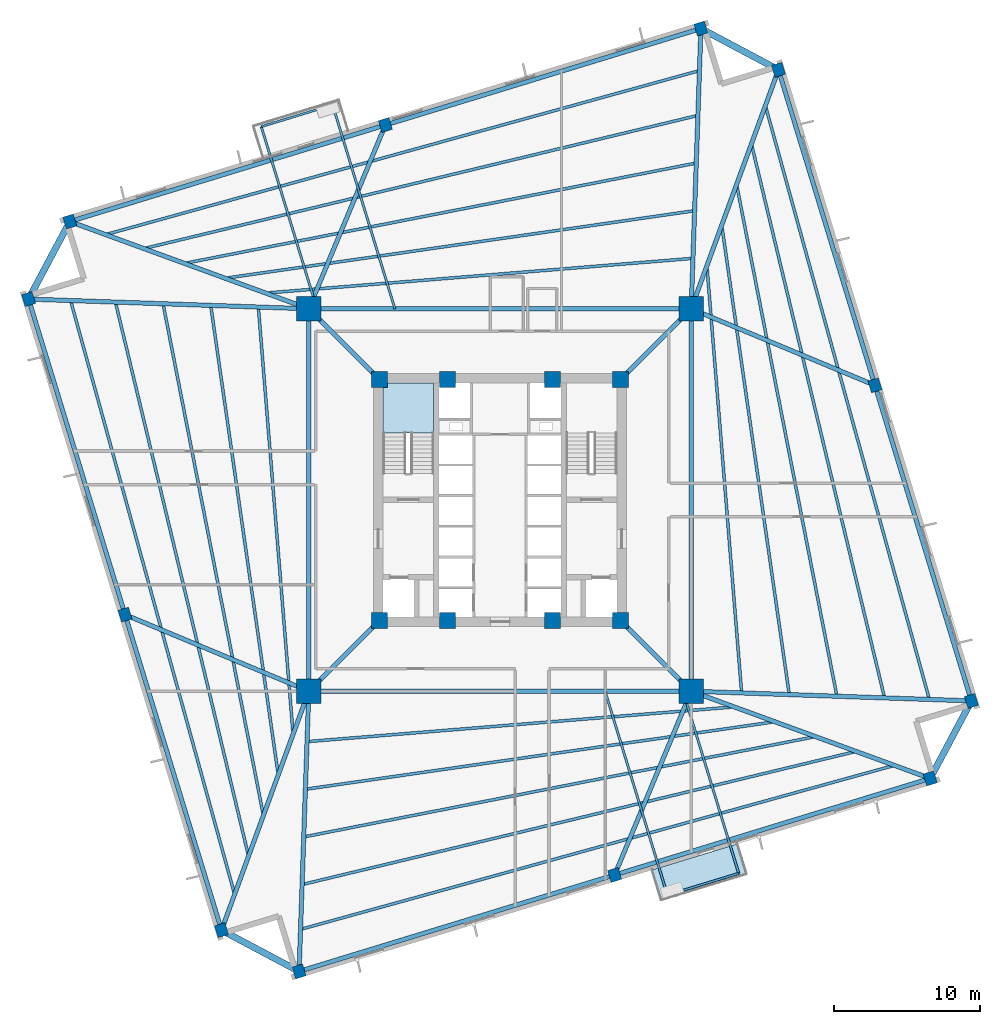
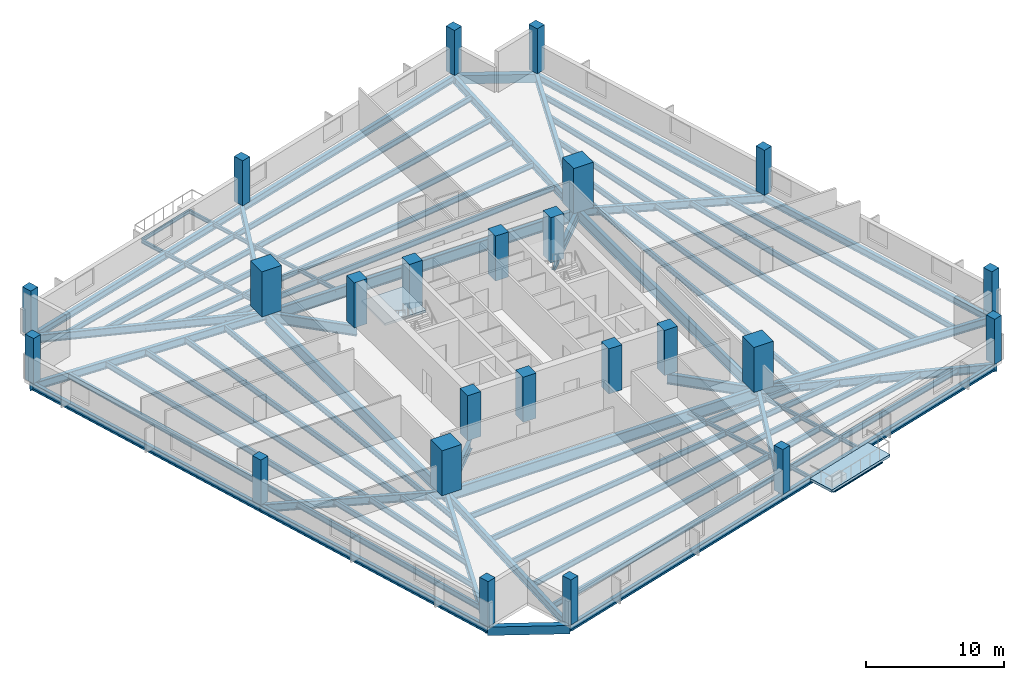
# One storey, part 1 of 8: 58 beams, 24 columns, 2 slabs, 1 element without a shape of its own.
"""IFC4 building model written with IfcOpenShell, lengths in metres."""

from ifc_helpers import new_model, si_unit, direction, frame, origin, origin_2d, place, context, subcontext, project, spatial, polyline, rectangle, i_section, outline, extrude, source, transform, mapped, material, layer, layer_set, material_profile, profile_set, type_object, element, aggregate, save


model = new_model("IFC4")

# Units and contexts
model_context = context("Model", 3, precision=1e-05, world=origin(), true_north=direction((0.0, 1.0)))
body_context = subcontext(model_context, "Body", "Model", "MODEL_VIEW")
ifc_project = project(units=[si_unit("LENGTHUNIT", "METRE"), si_unit("AREAUNIT", "SQUARE_METRE"), si_unit("VOLUMEUNIT", "CUBIC_METRE"), si_unit("PLANEANGLEUNIT", "RADIAN"), si_unit("MASSUNIT", "GRAM", prefix="KILO"), si_unit("THERMODYNAMICTEMPERATUREUNIT", "KELVIN")], contexts=[model_context])

# Site, building, storey
site_placement = place(None, origin())
site = spatial("IfcSite", under=ifc_project, at=site_placement, CompositionType="ELEMENT")
building_placement = place(site_placement, origin())
building = spatial("IfcBuilding", under=site, at=building_placement, Name="Kosmvard Interchange Tower", CompositionType="ELEMENT")
storey_placement = place(building_placement, frame((0.0, 0.0, 135.199951171875)))
storey = spatial("IfcBuildingStorey", under=building, at=storey_placement, Name="L32", CompositionType="ELEMENT", Elevation=135.199951171875)

# Columns
ifc_material_1 = material(Name="Concrete C80/95", Category="concrete")
ifc_material_profile_1 = material_profile(ifc_material_1, rectangle(XDim=1.10009765625, YDim=1.10009765625, at=origin_2d()), Name="CP 1100x1100")
ifc_profile_set_1 = profile_set([ifc_material_profile_1], Name="Concrete C80/95")
column_type_1 = type_object("IfcColumnType", Name="Core Boundary Pilaster 1100x1100 C80/95", PredefinedType="PILASTER", material=ifc_profile_set_1)
shared_shape_1 = source(origin(), body_context, "Body", "SweptSolid", [
    extrude(rectangle(XDim=1.10009765625, YDim=1.10009765625, at=origin_2d()), origin(), (0.0, 0.0, 1.0), 4.0),
])
for number, where, z_axis, x_axis, name in (
    (1, (-8.25, -8.25, 0.0), (0.0, 0.0, 1.0), (1.0, 0.0, 0.0), "L32 Core Pilaster CP1"),
    (2, (8.25, -8.25, 0.0), (0.0, 0.0, 1.0), (1.0, 0.0, 0.0), "L32 Core Pilaster CP2"),
    (3, (8.25, 8.25, 0.0), (0.0, 0.0, 1.0), (1.0, 0.0, 0.0), "L32 Core Pilaster CP3"),
    (4, (-8.25, 8.25, 0.0), (0.0, 0.0, 1.0), (1.0, 0.0, 0.0), "L32 Core Pilaster CP4"),
    (5, (-3.60009765625, -8.25, 0.0), (0.0, 0.0, 1.0), (1.0, 0.0, 0.0), "L32 Core Pilaster CP5"),
    (6, (3.60009765625, -8.25, 0.0), (0.0, 0.0, 1.0), (1.0, 0.0, 0.0), "L32 Core Pilaster CP6"),
    (7, (-3.60009765625, 8.25, 0.0), (0.0, 0.0, 1.0), (1.0, 0.0, 0.0), "L32 Core Pilaster CP7"),
    (8, (3.60009765625, 8.25, 0.0), (0.0, 0.0, 1.0), (1.0, 0.0, 0.0), "L32 Core Pilaster CP8"),
):
    element("IfcColumn", number, at=place(storey_placement, frame(where, z_axis=z_axis, x_axis=x_axis)), inside=storey, type_object=column_type_1, Name=name, PredefinedType="PILASTER", context=body_context, shape_type="MappedRepresentation", body=[
        mapped(shared_shape_1, transform((0.0, 0.0, 0.0), scale=1.0)),
    ])
ifc_material_2 = material(Name="Concrete C70/85", Category="concrete")
ifc_material_profile_2 = material_profile(ifc_material_2, rectangle(XDim=1.64990234375, YDim=1.64990234375, at=origin_2d()), Name="MC 1650x1650")
ifc_profile_set_2 = profile_set([ifc_material_profile_2], Name="Concrete C70/85")
column_type_2 = type_object("IfcColumnType", Name="Composite Mega-Column 1650x1650 C70/85", PredefinedType="COLUMN", material=ifc_profile_set_2)
shared_shape_2 = source(origin(), body_context, "Body", "SweptSolid", [
    extrude(rectangle(XDim=1.64990234375, YDim=1.64990234375, at=origin_2d()), origin(), (0.0, 0.0, 1.0), 4.0),
])
for number, where, z_axis, x_axis, name in (
    (9, (-13.0810546875, -13.0810546875, 0.0), (0.0, 0.0, 1.0), (1.0, 0.0, 0.0), "L32 Corner Mega-Column MC1"),
    (10, (13.0810546875, -13.0810546875, 0.0), (0.0, 0.0, 1.0), (1.0, 0.0, 0.0), "L32 Corner Mega-Column MC2"),
    (11, (13.0810546875, 13.0810546875, 0.0), (0.0, 0.0, 1.0), (1.0, 0.0, 0.0), "L32 Corner Mega-Column MC3"),
    (12, (-13.0810546875, 13.0810546875, 0.0), (0.0, 0.0, 1.0), (1.0, 0.0, 0.0), "L32 Corner Mega-Column MC4"),
):
    element("IfcColumn", number, at=place(storey_placement, frame(where, z_axis=z_axis, x_axis=x_axis)), inside=storey, type_object=column_type_2, Name=name, PredefinedType="COLUMN", context=body_context, shape_type="MappedRepresentation", body=[
        mapped(shared_shape_2, transform((0.0, 0.0, 0.0), scale=1.0)),
    ])
ifc_material_3 = material(Name="Concrete C60/75", Category="concrete")
ifc_material_profile_3 = material_profile(ifc_material_3, rectangle(XDim=0.75, YDim=0.85009765625, at=origin_2d()), Name="TC 850x750")
ifc_profile_set_3 = profile_set([ifc_material_profile_3], Name="Concrete C60/75")
column_type_3 = type_object("IfcColumnType", Name="Zone 2 Perimeter Pier Column 850x750 C60/75", PredefinedType="COLUMN", material=ifc_profile_set_3)
shared_shape_3 = source(origin(), body_context, "Body", "SweptSolid", [
    extrude(rectangle(XDim=0.75, YDim=0.85009765625, at=origin_2d()), origin(), (0.0, 0.0, 1.0), 4.0),
])
for number, where, z_axis, x_axis, name in (
    (13, (-13.74560546875, -32.253173828125, 0.0), (0.0, 0.0, 1.0), (0.956304755963, 0.292371704723, 0.0), "L32 Perimeter Pier Column TC-S1"),
    (14, (7.8427734375, -25.65283203125, 0.0), (0.0, 0.0, 1.0), (0.956304755963, 0.292371704723, 0.0), "L32 Perimeter Pier Column TC-S2"),
    (15, (29.431396484375, -19.052490234375, 0.0), (0.0, 0.0, 1.0), (0.956304755963, 0.292371704723, 0.0), "L32 Perimeter Pier Column TC-S3"),
    (16, (32.253173828125, -13.74560546875, 0.0), (0.0, 0.0, 1.0), (0.956304755963, 0.292371704723, 0.0), "L32 Perimeter Pier Column TC-E1"),
    (17, (25.65283203125, 7.8427734375, 0.0), (0.0, 0.0, 1.0), (0.956304755963, 0.292371704723, 0.0), "L32 Perimeter Pier Column TC-E2"),
    (18, (19.052490234375, 29.431396484375, 0.0), (0.0, 0.0, 1.0), (0.956304755963, 0.292371704723, 0.0), "L32 Perimeter Pier Column TC-E3"),
    (19, (13.74560546875, 32.253173828125, 0.0), (0.0, 0.0, 1.0), (0.956304755963, 0.292371704723, 0.0), "L32 Perimeter Pier Column TC-N1"),
    (20, (-7.8427734375, 25.65283203125, 0.0), (0.0, 0.0, 1.0), (0.956304755963, 0.292371704723, 0.0), "L32 Perimeter Pier Column TC-N2"),
    (21, (-29.431396484375, 19.052490234375, 0.0), (0.0, 0.0, 1.0), (0.956304755963, 0.292371704723, 0.0), "L32 Perimeter Pier Column TC-N3"),
    (22, (-32.253173828125, 13.74560546875, 0.0), (0.0, 0.0, 1.0), (0.956304755963, 0.292371704723, 0.0), "L32 Perimeter Pier Column TC-W1"),
    (23, (-25.65283203125, -7.8427734375, 0.0), (0.0, 0.0, 1.0), (0.956304755963, 0.292371704723, 0.0), "L32 Perimeter Pier Column TC-W2"),
    (24, (-19.052490234375, -29.431396484375, 0.0), (0.0, 0.0, 1.0), (0.956304755963, 0.292371704723, 0.0), "L32 Perimeter Pier Column TC-W3"),
):
    element("IfcColumn", number, at=place(storey_placement, frame(where, z_axis=z_axis, x_axis=x_axis)), inside=storey, type_object=column_type_3, Name=name, PredefinedType="COLUMN", context=body_context, shape_type="MappedRepresentation", body=[
        mapped(shared_shape_3, transform((0.0, 0.0, 0.0), scale=1.0)),
    ])

# Beams
ifc_material_4 = material(Name="Steel S460", Category="steel")
ifc_material_profile_4 = material_profile(ifc_material_4, i_section(OverallWidth=0.30810546875, OverallDepth=0.909912109375, WebThickness=0.02099609375, FlangeThickness=0.0400390625, FilletRadius=0.027099609375, at=origin_2d()), Name="HEM 900")
ifc_profile_set_4 = profile_set([ifc_material_profile_4], Name="Steel S460")
beam_type_1 = type_object("IfcBeamType", Name="Primary Mega-Frame Girder HEM 900 S460", PredefinedType="BEAM", material=ifc_profile_set_4)
shared_shape_4 = source(origin(), body_context, "Body", "SweptSolid", [
    extrude(i_section(OverallWidth=0.30810546875, OverallDepth=0.909912109375, WebThickness=0.02099609375, FlangeThickness=0.0400390625, FilletRadius=0.027099609375, at=origin_2d()), origin(), (0.0, 0.0, 1.0), 6.83203125),
])
for number, where, z_axis, x_axis, name in (
    (25, (-8.25, -8.25, -0.71484375), (-0.707106781187, -0.707106781187, 0.0), (0.707106781187, -0.707106781187, 0.0), "L32 Radial Mega-Frame Girder 1"),
    (26, (8.25, -8.25, -0.71484375), (0.707106781187, -0.707106781187, 0.0), (0.707106781187, 0.707106781187, 0.0), "L32 Radial Mega-Frame Girder 2"),
    (27, (8.25, 8.25, -0.71484375), (0.707106781187, 0.707106781187, 0.0), (-0.707106781187, 0.707106781187, 0.0), "L32 Radial Mega-Frame Girder 3"),
    (28, (-8.25, 8.25, -0.71484375), (-0.707106781187, 0.707106781187, 0.0), (-0.707106781187, -0.707106781187, 0.0), "L32 Radial Mega-Frame Girder 4"),
):
    element("IfcBeam", number, at=place(storey_placement, frame(where, z_axis=z_axis, x_axis=x_axis)), inside=storey, type_object=beam_type_1, Name=name, PredefinedType="BEAM", context=body_context, shape_type="MappedRepresentation", body=[
        mapped(shared_shape_4, transform((0.0, 0.0, 0.0), scale=1.0)),
    ])
ifc_material_profile_5 = material_profile(ifc_material_4, i_section(OverallWidth=0.30908203125, OverallDepth=1.008056640625, WebThickness=0.02099609375, FlangeThickness=0.0400390625, FilletRadius=0.030029296875, at=origin_2d()), Name="HEM 1000")
ifc_profile_set_5 = profile_set([ifc_material_profile_5], Name="Steel S460")
beam_type_2 = type_object("IfcBeamType", Name="Mega-Column Ring Girder HEM 1000 S460", PredefinedType="BEAM", material=ifc_profile_set_5)
shared_shape_5 = source(origin(), body_context, "Body", "SweptSolid", [
    extrude(i_section(OverallWidth=0.30908203125, OverallDepth=1.008056640625, WebThickness=0.02099609375, FlangeThickness=0.0400390625, FilletRadius=0.030029296875, at=origin_2d()), origin(), (0.0, 0.0, 1.0), 26.162109375),
])
for number, where, z_axis, x_axis, name in (
    (29, (-13.0810546875, -13.0810546875, -0.763916015625), (1.0, 0.0, 0.0), (0.0, 1.0, 0.0), "L32 Mega-Column Ring Girder 1"),
    (30, (13.0810546875, -13.0810546875, -0.763916015625), (0.0, 1.0, 0.0), (-1.0, 0.0, 0.0), "L32 Mega-Column Ring Girder 2"),
    (31, (13.0810546875, 13.0810546875, -0.763916015625), (-1.0, 0.0, 0.0), (0.0, -1.0, 0.0), "L32 Mega-Column Ring Girder 3"),
    (32, (-13.0810546875, 13.0810546875, -0.763916015625), (0.0, -1.0, 0.0), (1.0, 0.0, 0.0), "L32 Mega-Column Ring Girder 4"),
):
    element("IfcBeam", number, at=place(storey_placement, frame(where, z_axis=z_axis, x_axis=x_axis)), inside=storey, type_object=beam_type_2, Name=name, PredefinedType="BEAM", context=body_context, shape_type="MappedRepresentation", body=[
        mapped(shared_shape_5, transform((0.0, 0.0, 0.0), scale=1.0)),
    ])
ifc_material_5 = material(Name="Steel S355", Category="steel")
ifc_material_profile_6 = material_profile(ifc_material_5, i_section(OverallWidth=0.14990234375, OverallDepth=0.300048828125, WebThickness=0.007080078125, FlangeThickness=0.0107421875, FilletRadius=0.014892578125, at=origin_2d()), Name="IPE 300")
ifc_profile_set_6 = profile_set([ifc_material_profile_6], Name="Steel S355")
beam_type_3 = type_object("IfcBeamType", Name="Balcony Edge Header Joist IPE 300 S355", PredefinedType="JOIST", material=ifc_profile_set_6)
shared_shape_6 = source(origin(), body_context, "Body", "SweptSolid", [
    extrude(i_section(OverallWidth=0.14990234375, OverallDepth=0.300048828125, WebThickness=0.007080078125, FlangeThickness=0.0107421875, FilletRadius=0.014892578125, at=origin_2d()), origin(), (0.0, 0.0, 1.0), 5.099853515625),
])
for number, where, z_axis, x_axis, name in (
    (33, (-11.4541015625, 27.032470703125, -0.409912109375), (-0.956295066015, -0.292403397238, 0.0), (0.292403397238, -0.956295066015, 0.0), "BM-L32-BJH1"),
    (34, (11.4541015625, -27.032470703125, -0.409912109375), (0.956295066015, 0.292403397238, 0.0), (-0.292403397238, 0.956295066015, 0.0), "BM-L32-BJH2"),
):
    element("IfcBeam", number, at=place(storey_placement, frame(where, z_axis=z_axis, x_axis=x_axis)), inside=storey, type_object=beam_type_3, Name=name, PredefinedType="JOIST", context=body_context, shape_type="MappedRepresentation", body=[
        mapped(shared_shape_6, transform((0.0, 0.0, 0.0), scale=1.0)),
    ])
ifc_material_profile_7 = material_profile(ifc_material_5, i_section(OverallWidth=0.300048828125, OverallDepth=0.60009765625, WebThickness=0.015380859375, FlangeThickness=0.030029296875, FilletRadius=0.027099609375, at=origin_2d()), Name="HEB 600")
ifc_profile_set_7 = profile_set([ifc_material_profile_7], Name="Steel S355")
beam_type_4 = type_object("IfcBeamType", Name="Perimeter Tie Girder HEB 600 S355", PredefinedType="BEAM", material=ifc_profile_set_7)
shared_shape_7 = source(origin(), body_context, "Body", "SweptSolid", [
    extrude(i_section(OverallWidth=0.300048828125, OverallDepth=0.60009765625, WebThickness=0.015380859375, FlangeThickness=0.030029296875, FilletRadius=0.027099609375, at=origin_2d()), origin(), (0.0, 0.0, 1.0), 22.57470703125),
])
for number, where, z_axis, x_axis, name in (
    (35, (-13.74560546875, -32.253173828125, -0.56005859375), (0.956303368768, 0.292376241995, 0.0), (-0.292376241995, 0.956303368768, 0.0), "BM-L32-PR01"),
    (36, (32.253173828125, -13.74560546875, -0.56005859375), (-0.292376241995, 0.956303368768, 0.0), (-0.956303368768, -0.292376241995, 0.0), "BM-L32-PR04"),
    (37, (13.74560546875, 32.253173828125, -0.56005859375), (-0.956303368768, -0.292376241995, 0.0), (0.292376241995, -0.956303368768, 0.0), "BM-L32-PR07"),
    (38, (-32.253173828125, 13.74560546875, -0.56005859375), (0.292376241995, -0.956303368768, 0.0), (0.956303368768, 0.292376241995, 0.0), "BM-L32-PR10"),
):
    element("IfcBeam", number, at=place(storey_placement, frame(where, z_axis=z_axis, x_axis=x_axis)), inside=storey, type_object=beam_type_4, Name=name, PredefinedType="BEAM", context=body_context, shape_type="MappedRepresentation", body=[
        mapped(shared_shape_7, transform((0.0, 0.0, 0.0), scale=1.0)),
    ])
ifc_material_profile_8 = material_profile(ifc_material_5, i_section(OverallWidth=0.300048828125, OverallDepth=0.699951171875, WebThickness=0.01708984375, FlangeThickness=0.031982421875, FilletRadius=0.027099609375, at=origin_2d()), Name="HEB 700")
ifc_profile_set_8 = profile_set([ifc_material_profile_8], Name="Steel S355")
beam_type_5 = type_object("IfcBeamType", Name="Primary Floor Girder HEB 700 S355", PredefinedType="BEAM", material=ifc_profile_set_8)
shared_shape_8 = source(origin(), body_context, "Body", "SweptSolid", [
    extrude(i_section(OverallWidth=0.300048828125, OverallDepth=0.699951171875, WebThickness=0.01708984375, FlangeThickness=0.031982421875, FilletRadius=0.027099609375, at=origin_2d()), origin(), (0.0, 0.0, 1.0), 19.18359375),
])
for number, where, z_axis, x_axis, name in (
    (39, (-13.0810546875, -13.0810546875, -0.60986328125), (-0.034641549738, -0.999399801397, 0.0), (0.999399801397, -0.034641549738, 0.0), "BM-L32-RD01"),
    (40, (13.0810546875, -13.0810546875, -0.60986328125), (0.999399801397, -0.034641549738, 0.0), (0.034641549738, 0.999399801397, 0.0), "BM-L32-RD04"),
    (41, (13.0810546875, 13.0810546875, -0.60986328125), (0.034641549738, 0.999399801397, 0.0), (-0.999399801397, 0.034641549738, 0.0), "BM-L32-RD07"),
    (42, (-13.0810546875, 13.0810546875, -0.60986328125), (-0.999399801397, 0.034641549738, 0.0), (-0.034641549738, -0.999399801397, 0.0), "BM-L32-RD10"),
):
    element("IfcBeam", number, at=place(storey_placement, frame(where, z_axis=z_axis, x_axis=x_axis)), inside=storey, type_object=beam_type_5, Name=name, PredefinedType="BEAM", context=body_context, shape_type="MappedRepresentation", body=[
        mapped(shared_shape_8, transform((0.0, 0.0, 0.0), scale=1.0)),
    ])
shared_shape_9 = source(origin(), body_context, "Body", "SweptSolid", [
    extrude(i_section(OverallWidth=0.300048828125, OverallDepth=0.60009765625, WebThickness=0.015380859375, FlangeThickness=0.030029296875, FilletRadius=0.027099609375, at=origin_2d()), origin(), (0.0, 0.0, 1.0), 22.574951171875),
])
for number, where, z_axis, x_axis, name in (
    (43, (7.8427734375, -25.65283203125, -0.56005859375), (0.956304293239, 0.292373218222, 0.0), (-0.292373218222, 0.956304293239, 0.0), "BM-L32-PR02"),
    (44, (25.65283203125, 7.8427734375, -0.56005859375), (-0.292373218222, 0.956304293239, 0.0), (-0.956304293239, -0.292373218222, 0.0), "BM-L32-PR05"),
    (45, (-7.8427734375, 25.65283203125, -0.56005859375), (-0.956304293239, -0.292373218222, 0.0), (0.292373218222, -0.956304293239, 0.0), "BM-L32-PR08"),
    (46, (-25.65283203125, -7.8427734375, -0.56005859375), (0.292373218222, -0.956304293239, 0.0), (0.956304293239, 0.292373218222, 0.0), "BM-L32-PR11"),
):
    element("IfcBeam", number, at=place(storey_placement, frame(where, z_axis=z_axis, x_axis=x_axis)), inside=storey, type_object=beam_type_4, Name=name, PredefinedType="BEAM", context=body_context, shape_type="MappedRepresentation", body=[
        mapped(shared_shape_9, transform((0.0, 0.0, 0.0), scale=1.0)),
    ])
shared_shape_10 = source(origin(), body_context, "Body", "SweptSolid", [
    extrude(i_section(OverallWidth=0.300048828125, OverallDepth=0.699951171875, WebThickness=0.01708984375, FlangeThickness=0.031982421875, FilletRadius=0.027099609375, at=origin_2d()), origin(), (0.0, 0.0, 1.0), 13.619384765625),
])
for number, where, z_axis, x_axis, name in (
    (47, (13.0810546875, -13.0810546875, -0.60986328125), (-0.384617930303, -0.92307586237, 0.0), (0.92307586237, -0.384617930303, 0.0), "BM-L32-RD02"),
    (48, (13.0810546875, 13.0810546875, -0.60986328125), (0.92307586237, -0.384617930303, 0.0), (0.384617930303, 0.92307586237, 0.0), "BM-L32-RD05"),
    (49, (-13.0810546875, 13.0810546875, -0.60986328125), (0.384617930303, 0.92307586237, 0.0), (-0.92307586237, 0.384617930303, 0.0), "BM-L32-RD08"),
    (50, (-13.0810546875, -13.0810546875, -0.60986328125), (-0.92307586237, 0.384617930303, 0.0), (-0.384617930303, -0.92307586237, 0.0), "BM-L32-RD11"),
):
    element("IfcBeam", number, at=place(storey_placement, frame(where, z_axis=z_axis, x_axis=x_axis)), inside=storey, type_object=beam_type_5, Name=name, PredefinedType="BEAM", context=body_context, shape_type="MappedRepresentation", body=[
        mapped(shared_shape_10, transform((0.0, 0.0, 0.0), scale=1.0)),
    ])
ifc_material_6 = material(Name="Precast concrete C45/55", Category="concrete")
ifc_material_profile_9 = material_profile(ifc_material_6, rectangle(XDim=0.449951171875, YDim=0.75, at=origin_2d()), Name="SL 450x750")
ifc_profile_set_9 = profile_set([ifc_material_profile_9], Name="Precast concrete C45/55")
beam_type_6 = type_object("IfcBeamType", Name="Precast Spandrel Lintel 450x750 C45/55", PredefinedType="LINTEL", material=ifc_profile_set_9)
shared_shape_11 = source(origin(), body_context, "Body", "SweptSolid", [
    extrude(rectangle(XDim=0.449951171875, YDim=0.75, at=origin_2d()), origin(), (0.0, 0.0, 1.0), 6.010498046875),
])
for number, where, z_axis, x_axis, name in (
    (51, (29.431396484375, -19.052490234375, -0.635009765625), (0.469478912111, 0.882943685114, 0.0), (-0.882943685114, 0.469478912111, 0.0), "BM-L32-SL1"),
    (52, (19.052490234375, 29.431396484375, -0.635009765625), (-0.882943685114, 0.469478912111, 0.0), (-0.469478912111, -0.882943685114, 0.0), "BM-L32-SL2"),
    (53, (-29.431396484375, 19.052490234375, -0.635009765625), (-0.469478912111, -0.882943685114, 0.0), (0.882943685114, -0.469478912111, 0.0), "BM-L32-SL3"),
    (54, (-19.052490234375, -29.431396484375, -0.635009765625), (0.882943685114, -0.469478912111, 0.0), (0.469478912111, 0.882943685114, 0.0), "BM-L32-SL4"),
):
    element("IfcBeam", number, at=place(storey_placement, frame(where, z_axis=z_axis, x_axis=x_axis)), inside=storey, type_object=beam_type_6, Name=name, PredefinedType="LINTEL", context=body_context, shape_type="MappedRepresentation", body=[
        mapped(shared_shape_11, transform((0.0, 0.0, 0.0), scale=1.0)),
    ])
shared_shape_12 = source(origin(), body_context, "Body", "SweptSolid", [
    extrude(i_section(OverallWidth=0.300048828125, OverallDepth=0.699951171875, WebThickness=0.01708984375, FlangeThickness=0.031982421875, FilletRadius=0.027099609375, at=origin_2d()), origin(), (0.0, 0.0, 1.0), 17.40673828125),
])
for number, where, z_axis, x_axis, name in (
    (55, (13.0810546875, -13.0810546875, -0.60986328125), (0.939315429031, -0.343054696491, 0.0), (0.343054696491, 0.939315429031, 0.0), "BM-L32-RD03"),
    (56, (13.0810546875, 13.0810546875, -0.60986328125), (0.343054696491, 0.939315429031, 0.0), (-0.939315429031, 0.343054696491, 0.0), "BM-L32-RD06"),
    (57, (-13.0810546875, 13.0810546875, -0.60986328125), (-0.939315429031, 0.343054696491, 0.0), (-0.343054696491, -0.939315429031, 0.0), "BM-L32-RD09"),
    (58, (-13.0810546875, -13.0810546875, -0.60986328125), (-0.343054696491, -0.939315429031, 0.0), (0.939315429031, -0.343054696491, 0.0), "BM-L32-RD12"),
):
    element("IfcBeam", number, at=place(storey_placement, frame(where, z_axis=z_axis, x_axis=x_axis)), inside=storey, type_object=beam_type_5, Name=name, PredefinedType="BEAM", context=body_context, shape_type="MappedRepresentation", body=[
        mapped(shared_shape_12, transform((0.0, 0.0, 0.0), scale=1.0)),
    ])
ifc_material_profile_10 = material_profile(ifc_material_5, i_section(OverallWidth=0.199951171875, OverallDepth=0.5, WebThickness=0.01025390625, FlangeThickness=0.01611328125, FilletRadius=0.02099609375, at=origin_2d()), Name="IPE 500")
ifc_profile_set_10 = profile_set([ifc_material_profile_10], Name="Steel S355")
beam_type_7 = type_object("IfcBeamType", Name="Standard Floor Joist IPE 500 S355", PredefinedType="JOIST", material=ifc_profile_set_10)
shared_shape_13 = source(origin(), body_context, "Body", "SweptSolid", [
    extrude(i_section(OverallWidth=0.199951171875, OverallDepth=0.5, WebThickness=0.01025390625, FlangeThickness=0.01611328125, FilletRadius=0.02099609375, at=origin_2d()), origin(), (0.0, 0.0, 1.0), 29.1611328125),
])
for number, where, z_axis, x_axis, name in (
    (59, (-13.120849609375, -16.525390625, -0.510009765625), (0.99671134435, 0.081033919093, 0.0), (-0.081033919093, 0.99671134435, 0.0), "BM-L32-FJ01"),
    (60, (16.525390625, -13.120849609375, -0.510009765625), (-0.081033919093, 0.99671134435, 0.0), (-0.99671134435, -0.081033919093, 0.0), "BM-L32-FJ06"),
    (61, (13.120849609375, 16.525390625, -0.510009765625), (-0.99671134435, -0.081033919093, 0.0), (0.081033919093, -0.99671134435, 0.0), "BM-L32-FJ11"),
    (62, (-16.525390625, 13.120849609375, -0.510009765625), (0.081033919093, -0.99671134435, 0.0), (0.99671134435, 0.081033919093, 0.0), "BM-L32-FJ16"),
):
    element("IfcBeam", number, at=place(storey_placement, frame(where, z_axis=z_axis, x_axis=x_axis)), inside=storey, type_object=beam_type_7, Name=name, PredefinedType="JOIST", context=body_context, shape_type="MappedRepresentation", body=[
        mapped(shared_shape_13, transform((0.0, 0.0, 0.0), scale=1.0)),
    ])
shared_shape_14 = source(origin(), body_context, "Body", "SweptSolid", [
    extrude(i_section(OverallWidth=0.199951171875, OverallDepth=0.5, WebThickness=0.01025390625, FlangeThickness=0.01611328125, FilletRadius=0.02099609375, at=origin_2d()), origin(), (0.0, 0.0, 1.0), 32.287841796875),
])
for number, where, z_axis, x_axis, name in (
    (63, (-13.234375, -19.77978515625, -0.510009765625), (0.989810798314, 0.142388846268, 0.0), (-0.142388846268, 0.989810798314, 0.0), "BM-L32-FJ02"),
    (64, (19.77978515625, -13.234375, -0.510009765625), (-0.142388846268, 0.989810798314, 0.0), (-0.989810798314, -0.142388846268, 0.0), "BM-L32-FJ07"),
    (65, (13.234375, 19.77978515625, -0.510009765625), (-0.989810798314, -0.142388846268, 0.0), (0.142388846268, -0.989810798314, 0.0), "BM-L32-FJ12"),
    (66, (-19.77978515625, 13.234375, -0.510009765625), (0.142388846268, -0.989810798314, 0.0), (0.989810798314, 0.142388846268, 0.0), "BM-L32-FJ17"),
):
    element("IfcBeam", number, at=place(storey_placement, frame(where, z_axis=z_axis, x_axis=x_axis)), inside=storey, type_object=beam_type_7, Name=name, PredefinedType="JOIST", context=body_context, shape_type="MappedRepresentation", body=[
        mapped(shared_shape_14, transform((0.0, 0.0, 0.0), scale=1.0)),
    ])
shared_shape_15 = source(origin(), body_context, "Body", "SweptSolid", [
    extrude(i_section(OverallWidth=0.199951171875, OverallDepth=0.5, WebThickness=0.01025390625, FlangeThickness=0.01611328125, FilletRadius=0.02099609375, at=origin_2d()), origin(), (0.0, 0.0, 1.0), 35.516357421875),
])
for number, where, z_axis, x_axis, name in (
    (67, (-13.34814453125, -23.03515625, -0.510009765625), (0.981315785618, 0.192404077134, 0.0), (-0.192404077134, 0.981315785618, 0.0), "BM-L32-FJ03"),
    (68, (23.03515625, -13.34814453125, -0.510009765625), (-0.192404077134, 0.981315785618, 0.0), (-0.981315785618, -0.192404077134, 0.0), "BM-L32-FJ08"),
    (69, (13.34814453125, 23.03515625, -0.510009765625), (-0.981315785618, -0.192404077134, 0.0), (0.192404077134, -0.981315785618, 0.0), "BM-L32-FJ13"),
    (70, (-23.03515625, 13.34814453125, -0.510009765625), (0.192404077134, -0.981315785618, 0.0), (0.981315785618, 0.192404077134, 0.0), "BM-L32-FJ18"),
):
    element("IfcBeam", number, at=place(storey_placement, frame(where, z_axis=z_axis, x_axis=x_axis)), inside=storey, type_object=beam_type_7, Name=name, PredefinedType="JOIST", context=body_context, shape_type="MappedRepresentation", body=[
        mapped(shared_shape_15, transform((0.0, 0.0, 0.0), scale=1.0)),
    ])
shared_shape_16 = source(origin(), body_context, "Body", "SweptSolid", [
    extrude(i_section(OverallWidth=0.199951171875, OverallDepth=0.5, WebThickness=0.01025390625, FlangeThickness=0.01611328125, FilletRadius=0.02099609375, at=origin_2d()), origin(), (0.0, 0.0, 1.0), 38.821533203125),
])
for number, where, z_axis, x_axis, name in (
    (71, (-13.4619140625, -26.291015625, -0.510009765625), (0.972318244358, 0.233660505198, 0.0), (-0.233660505198, 0.972318244358, 0.0), "BM-L32-FJ04"),
    (72, (26.291015625, -13.4619140625, -0.510009765625), (-0.233660505198, 0.972318244358, 0.0), (-0.972318244358, -0.233660505198, 0.0), "BM-L32-FJ09"),
    (73, (13.4619140625, 26.291015625, -0.510009765625), (-0.972318244358, -0.233660505198, 0.0), (0.233660505198, -0.972318244358, 0.0), "BM-L32-FJ14"),
    (74, (-26.291015625, 13.4619140625, -0.510009765625), (0.233660505198, -0.972318244358, 0.0), (0.972318244358, 0.233660505198, 0.0), "BM-L32-FJ19"),
):
    element("IfcBeam", number, at=place(storey_placement, frame(where, z_axis=z_axis, x_axis=x_axis)), inside=storey, type_object=beam_type_7, Name=name, PredefinedType="JOIST", context=body_context, shape_type="MappedRepresentation", body=[
        mapped(shared_shape_16, transform((0.0, 0.0, 0.0), scale=1.0)),
    ])
shared_shape_17 = source(origin(), body_context, "Body", "SweptSolid", [
    extrude(i_section(OverallWidth=0.199951171875, OverallDepth=0.5, WebThickness=0.01025390625, FlangeThickness=0.01611328125, FilletRadius=0.02099609375, at=origin_2d()), origin(), (0.0, 0.0, 1.0), 41.98583984375),
])
for number, where, z_axis, x_axis, name in (
    (75, (-13.56884765625, -29.35595703125, -0.510009765625), (0.96391074105, 0.266225624778, 0.0), (-0.266225624778, 0.96391074105, 0.0), "BM-L32-FJ05"),
    (76, (29.35595703125, -13.56884765625, -0.510009765625), (-0.266225624778, 0.96391074105, 0.0), (-0.96391074105, -0.266225624778, 0.0), "BM-L32-FJ10"),
    (77, (13.56884765625, 29.35595703125, -0.510009765625), (-0.96391074105, -0.266225624778, 0.0), (0.266225624778, -0.96391074105, 0.0), "BM-L32-FJ15"),
    (78, (-29.35595703125, 13.56884765625, -0.510009765625), (0.266225624778, -0.96391074105, 0.0), (0.96391074105, 0.266225624778, 0.0), "BM-L32-FJ20"),
):
    element("IfcBeam", number, at=place(storey_placement, frame(where, z_axis=z_axis, x_axis=x_axis)), inside=storey, type_object=beam_type_7, Name=name, PredefinedType="JOIST", context=body_context, shape_type="MappedRepresentation", body=[
        mapped(shared_shape_17, transform((0.0, 0.0, 0.0), scale=1.0)),
    ])
ifc_material_profile_11 = material_profile(ifc_material_5, i_section(OverallWidth=0.159912109375, OverallDepth=0.330078125, WebThickness=0.007568359375, FlangeThickness=0.011474609375, FilletRadius=0.01806640625, at=origin_2d()), Name="IPE 330")
ifc_profile_set_11 = profile_set([ifc_material_profile_11], Name="Steel S355")
beam_type_8 = type_object("IfcBeamType", Name="Balcony Cantilever Joist IPE 330 S355", PredefinedType="JOIST", material=ifc_profile_set_11)
shared_shape_18 = source(origin(), body_context, "Body", "SweptSolid", [
    extrude(i_section(OverallWidth=0.159912109375, OverallDepth=0.330078125, WebThickness=0.007568359375, FlangeThickness=0.011474609375, FilletRadius=0.01806640625, at=origin_2d()), origin(), (0.0, 0.0, 1.0), 14.5888671875),
])
for number, where, z_axis, x_axis, name in (
    (79, (-7.188720703125, 13.0810546875, -0.425048828125), (-0.292372013991, 0.95630466141, 0.0), (-0.95630466141, -0.292372013991, 0.0), "BM-L32-BJ1"),
    (80, (7.188720703125, -13.0810546875, -0.425048828125), (0.292372013991, -0.95630466141, 0.0), (0.95630466141, 0.292372013991, 0.0), "BM-L32-BJ2"),
):
    element("IfcBeam", number, at=place(storey_placement, frame(where, z_axis=z_axis, x_axis=x_axis)), inside=storey, type_object=beam_type_8, Name=name, PredefinedType="JOIST", context=body_context, shape_type="MappedRepresentation", body=[
        mapped(shared_shape_18, transform((0.0, 0.0, 0.0), scale=1.0)),
    ])
shared_shape_19 = source(origin(), body_context, "Body", "SweptSolid", [
    extrude(i_section(OverallWidth=0.159912109375, OverallDepth=0.330078125, WebThickness=0.007568359375, FlangeThickness=0.011474609375, FilletRadius=0.01806640625, at=origin_2d()), origin(), (0.0, 0.0, 1.0), 13.029541015625),
])
for number, where, z_axis, x_axis, name in (
    (81, (-12.521728515625, 13.0810546875, -0.425048828125), (-0.292361820938, 0.956307777684, 0.0), (-0.956307777684, -0.292361820938, 0.0), "BM-L32-BJB1"),
    (82, (12.521728515625, -13.0810546875, -0.425048828125), (0.292361820938, -0.956307777684, 0.0), (0.956307777684, 0.292361820938, 0.0), "BM-L32-BJB2"),
):
    element("IfcBeam", number, at=place(storey_placement, frame(where, z_axis=z_axis, x_axis=x_axis)), inside=storey, type_object=beam_type_8, Name=name, PredefinedType="JOIST", context=body_context, shape_type="MappedRepresentation", body=[
        mapped(shared_shape_19, transform((0.0, 0.0, 0.0), scale=1.0)),
    ])

# Stair, slab
ifc_material_7 = material(Name="Concrete C50/60", Category="concrete")
stair_type = type_object("IfcStairType", Name="Dog-Leg Core Exit Stair H4000 C50/60", PredefinedType="HALF_TURN_STAIR", material=ifc_material_7)
stair_placement = place(storey_placement, origin())
stair = element("IfcStair", 83, at=stair_placement, inside=storey, type_object=stair_type, Name="L32 Protected Exit Stair ST-1", PredefinedType="HALF_TURN_STAIR")
ifc_layer_1 = layer(ifc_material_7, 0.199951171875, Name="Concrete C50/60")
ifc_layer_set_1 = layer_set([ifc_layer_1], Name="Concrete C50/60")
slab_type_1 = type_object("IfcSlabType", Name="Stair Half-Landing Slab 200 C50/60", PredefinedType="LANDING", material=ifc_layer_set_1)
slab_1_placement = place(storey_placement, frame((0.0, 0.0, 1.800048828125)))
slab_1 = element("IfcSlab", 84, at=slab_1_placement, type_object=slab_type_1, Name="ST-1 landing 1", PredefinedType="LANDING", context=body_context, shape_type="SweptSolid", body=[
    extrude(outline(polyline([(-4.5400390625, 4.60009765625), (-4.5400390625, 8.0), (-8.0, 8.0), (-8.0, 4.60009765625), (-4.5400390625, 4.60009765625)])), origin(), (0.0, 0.0, 1.0), 0.199951171875),
])
aggregate(stair, [slab_1])

# Slab
ifc_layer_2 = layer(ifc_material_7, 0.22998046875, Name="Concrete C50/60")
ifc_layer_set_2 = layer_set([ifc_layer_2], Name="Concrete C50/60")
slab_type_2 = type_object("IfcSlabType", Name="Tree-Planter Cantilever Balcony Slab 230 C50/60", PredefinedType="FLOOR", material=ifc_layer_set_2)
slab_2_placement = place(storey_placement, frame((0.0, 0.0, -0.22998046875)))
element("IfcSlab", 85, at=slab_2_placement, inside=storey, type_object=slab_type_2, Name="L32 Outdoor Terrace Balcony Slab BAL-L32-SW", PredefinedType="FLOOR", context=body_context, shape_type="SweptSolid", body=[
    extrude(outline(polyline([(11.001220703125, -27.43212890625), (16.93017578125, -25.61962890625), (16.286865234375, -23.515625), (10.35791015625, -25.328369140625), (11.001220703125, -27.43212890625)])), origin(), (0.0, 0.0, 1.0), 0.22998046875),
])

save(model, "model.ifc")
